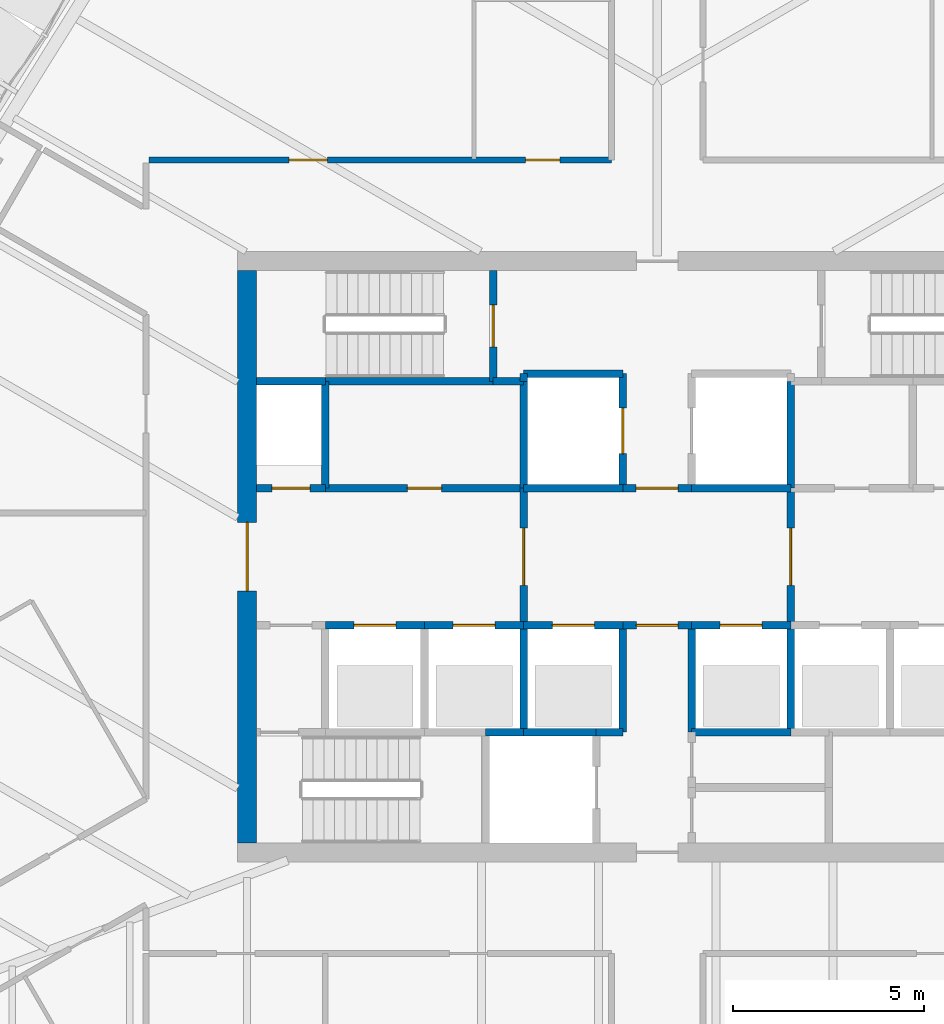
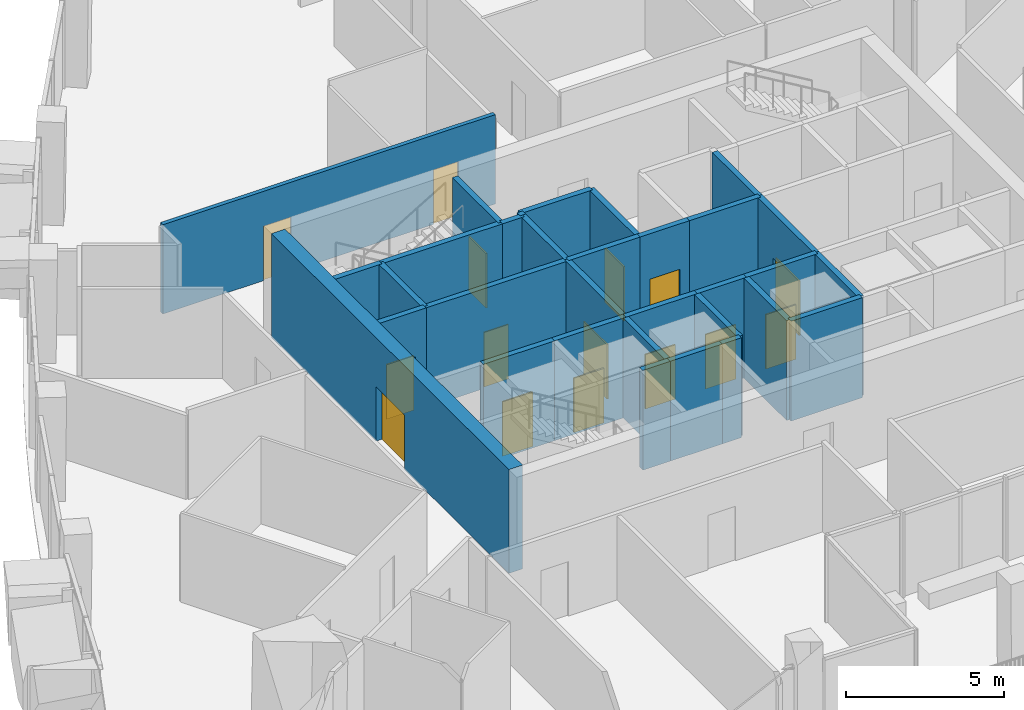
# One storey, part 14 of 21: 32 walls, 15 doors, 15 openings.
"""IFC4 building model written with IfcOpenShell, lengths in metres."""

from ifc_helpers import new_model, si_unit, direction, frame, frame_2d, origin, place, context, subcontext, project, spatial, rectangle, extrude, material, layer, layer_set, type_object, element, fill, save


model = new_model("IFC4")

# Units and contexts
model_context = context("Model", 3, precision=1e-05, world=origin(), true_north=direction((0.0, 1.0)))
body_context = subcontext(model_context, "Body", "Model", "MODEL_VIEW")
ifc_project = project(units=[si_unit("LENGTHUNIT", "METRE"), si_unit("AREAUNIT", "SQUARE_METRE"), si_unit("VOLUMEUNIT", "CUBIC_METRE"), si_unit("PLANEANGLEUNIT", "RADIAN"), si_unit("MASSUNIT", "GRAM", prefix="KILO")], contexts=[model_context])

# Site, building, storey
site_placement = place(None, origin())
site = spatial("IfcSite", under=ifc_project, at=site_placement, CompositionType="ELEMENT")
building_placement = place(site_placement, origin())
building = spatial("IfcBuilding", under=site, at=building_placement, Name="Sierra Prisma Convention Tower", CompositionType="ELEMENT")
storey_placement = place(building_placement, frame((0.0, 0.0, 259.0)))
storey = spatial("IfcBuildingStorey", under=building, at=storey_placement, Name="L58", CompositionType="ELEMENT", Elevation=259.0)

# Wall, opening, door
ifc_material_1 = material(Name="Concrete C30/37", Category="concrete")
ifc_layer_1 = layer(ifc_material_1, 0.199951171875)
ifc_layer_set_1 = layer_set([ifc_layer_1], Name="Core wall RC 200 C30/37")
wall_type_1 = type_object("IfcWallType", Name="Core wall RC 200 C30/37", PredefinedType="SOLIDWALL", material=ifc_layer_set_1)
wall_1_placement = place(storey_placement, frame((-8.699951171875, 1.800048828125, 0.0), z_axis=(0.0, 0.0, 1.0), x_axis=(-1.0, 0.0, 0.0)))
wall_1 = element("IfcWall", 1, at=wall_1_placement, inside=storey, type_object=wall_type_1, Name="Core wall L58 3", PredefinedType="SOLIDWALL", context=body_context, shape_type="SweptSolid", body=[
    extrude(rectangle(XDim=1.800048828125, YDim=0.199951171875, at=frame_2d((0.89990234375, 0.0))), origin(), (0.0, 0.0, 1.0), 3.85009765625),
])
opening_1_placement = place(wall_1_placement, frame((0.39990234375, 0.0, 0.0)))
opening_1 = element("IfcOpeningElement", 2, at=opening_1_placement, cuts=wall_1, Name="Opening L58-D017", PredefinedType="OPENING", context=body_context, shape_type="SweptSolid", body=[
    extrude(rectangle(XDim=1.0, YDim=2.10009765625, at=frame_2d((0.5, 1.050048828125))), frame((0.0, 0.10009765625, 0.0), z_axis=(0.0, -1.0, 0.0), x_axis=(1.0, 0.0, 0.0)), (0.0, 0.0, 1.0), 0.199951171875),
])
ifc_material_2 = material(Name="Steel fire door leaf", Category="steel")
door_type_1 = type_object("IfcDoorType", Name="Door 1000x2100 FD60S", OperationType="SINGLE_SWING_LEFT", PredefinedType="DOOR", material=ifc_material_2)
door_1_placement = place(opening_1_placement, origin())
door_1 = element("IfcDoor", 3, at=door_1_placement, inside=storey, type_object=door_type_1, Name="Door L58 30", OperationType="SINGLE_SWING_RIGHT", OverallHeight=2.10009765625, OverallWidth=1.0, PredefinedType="DOOR", context=body_context, shape_type="SweptSolid", body=[
    extrude(rectangle(XDim=1.0, YDim=2.10009765625, at=frame_2d((0.5, 1.050048828125))), frame((0.0, 0.02490234375, 0.0), z_axis=(0.0, -1.0, 0.0), x_axis=(1.0, 0.0, 0.0)), (0.0, 0.0, 1.0), 0.050048828125),
])
fill(opening_1, door_1)

# Wall
wall_2_placement = place(storey_placement, frame((-8.699951171875, 4.60009765625, 0.0), z_axis=(0.0, 0.0, 1.0), x_axis=(-1.0, 0.0, 0.0)))
element("IfcWall", 4, at=wall_2_placement, inside=storey, type_object=wall_type_1, Name="Core wall L58 4", PredefinedType="SOLIDWALL", context=body_context, shape_type="SweptSolid", body=[
    extrude(rectangle(XDim=1.800048828125, YDim=0.199951171875, at=frame_2d((0.89990234375, 0.0))), origin(), (0.0, 0.0, 1.0), 3.85009765625),
])

# Wall, opening, door
wall_3_placement = place(storey_placement, frame((-8.699951171875, -1.800048828125, 0.0), z_axis=(0.0, 0.0, 1.0), x_axis=(1.0, 0.0, 0.0)))
wall_3 = element("IfcWall", 5, at=wall_3_placement, inside=storey, type_object=wall_type_1, Name="Core wall L58 7", PredefinedType="SOLIDWALL", context=body_context, shape_type="SweptSolid", body=[
    extrude(rectangle(XDim=2.599853515625, YDim=0.199951171875, at=frame_2d((1.2998046875, 0.0))), origin(), (0.0, 0.0, 1.0), 3.85009765625),
])
opening_2_placement = place(wall_3_placement, frame((0.75, 0.0, 0.0)))
opening_2 = element("IfcOpeningElement", 6, at=opening_2_placement, cuts=wall_3, Name="Opening L58-D003", PredefinedType="OPENING", context=body_context, shape_type="SweptSolid", body=[
    extrude(rectangle(XDim=1.10009765625, YDim=2.10009765625, at=frame_2d((0.550048828125, 1.050048828125))), frame((0.0, 0.10009765625, 0.0), z_axis=(0.0, -1.0, 0.0), x_axis=(1.0, 0.0, 0.0)), (0.0, 0.0, 1.0), 0.199951171875),
])
ifc_material_3 = material(Name="Steel fire door leaf", Category="steel")
door_type_2 = type_object("IfcDoorType", Name="Door 1100x2100 EI 90 sliding lift landing", OperationType="SLIDING_TO_LEFT", PredefinedType="DOOR", material=ifc_material_3)
door_2_placement = place(opening_2_placement, origin())
door_2 = element("IfcDoor", 7, at=door_2_placement, inside=storey, type_object=door_type_2, Name="Door L58 16", OperationType="SLIDING_TO_LEFT", OverallHeight=2.10009765625, OverallWidth=1.10009765625, PredefinedType="DOOR", context=body_context, shape_type="SweptSolid", body=[
    extrude(rectangle(XDim=1.10009765625, YDim=2.10009765625, at=frame_2d((0.550048828125, 1.050048828125))), frame((0.0, 0.02490234375, 0.0), z_axis=(0.0, -1.0, 0.0), x_axis=(1.0, 0.0, 0.0)), (0.0, 0.0, 1.0), 0.050048828125),
])
fill(opening_2, door_2)

wall_4_placement = place(storey_placement, frame((-8.699951171875, 1.800048828125, 0.0), z_axis=(0.0, 0.0, 1.0), x_axis=(1.0, 0.0, 0.0)))
wall_4 = element("IfcWall", 8, at=wall_4_placement, inside=storey, type_object=wall_type_1, Name="Core wall L58 8", PredefinedType="SOLIDWALL", context=body_context, shape_type="SweptSolid", body=[
    extrude(rectangle(XDim=5.199951171875, YDim=0.199951171875, at=frame_2d((2.60009765625, 0.0))), origin(), (0.0, 0.0, 1.0), 3.85009765625),
])
opening_3_placement = place(wall_4_placement, frame((2.14990234375, 0.0, 0.0)))
opening_3 = element("IfcOpeningElement", 9, at=opening_3_placement, cuts=wall_4, Name="Opening L58-D024", PredefinedType="OPENING", context=body_context, shape_type="SweptSolid", body=[
    extrude(rectangle(XDim=0.89990234375, YDim=2.10009765625, at=frame_2d((0.449951171875, 1.050048828125))), frame((0.0, 0.10009765625, 0.0), z_axis=(0.0, -1.0, 0.0), x_axis=(1.0, 0.0, 0.0)), (0.0, 0.0, 1.0), 0.199951171875),
])
ifc_material_4 = material(Name="Steel fire door leaf", Category="steel")
door_type_3 = type_object("IfcDoorType", Name="Door 900x2100 FD30S", OperationType="SINGLE_SWING_LEFT", PredefinedType="DOOR", material=ifc_material_4)
door_3_placement = place(opening_3_placement, origin())
door_3 = element("IfcDoor", 10, at=door_3_placement, inside=storey, type_object=door_type_3, Name="Door L58 37", OperationType="SINGLE_SWING_LEFT", OverallHeight=2.10009765625, OverallWidth=0.89990234375, PredefinedType="DOOR", context=body_context, shape_type="SweptSolid", body=[
    extrude(rectangle(XDim=0.89990234375, YDim=2.10009765625, at=frame_2d((0.449951171875, 1.050048828125))), frame((0.0, 0.02490234375, 0.0), z_axis=(0.0, -1.0, 0.0), x_axis=(1.0, 0.0, 0.0)), (0.0, 0.0, 1.0), 0.050048828125),
])
fill(opening_3, door_3)

# Walls
wall_5_placement = place(storey_placement, frame((-8.699951171875, 4.60009765625, 0.0), z_axis=(0.0, 0.0, 1.0), x_axis=(0.0, -1.0, 0.0)))
element("IfcWall", 11, at=wall_5_placement, inside=storey, type_object=wall_type_1, Name="Core wall L58 9", PredefinedType="SOLIDWALL", context=body_context, shape_type="SweptSolid", body=[
    extrude(rectangle(XDim=2.800048828125, YDim=0.199951171875, at=frame_2d((1.39990234375, 0.0))), origin(), (0.0, 0.0, 1.0), 3.85009765625),
])
wall_6_placement = place(storey_placement, frame((-4.300048828125, 4.60009765625, 0.0), z_axis=(0.0, 0.0, 1.0), x_axis=(-1.0, 0.0, 0.0)))
element("IfcWall", 12, at=wall_6_placement, inside=storey, type_object=wall_type_1, Name="Core wall L58 10", PredefinedType="SOLIDWALL", context=body_context, shape_type="SweptSolid", body=[
    extrude(rectangle(XDim=4.39990234375, YDim=0.199951171875, at=frame_2d((2.199951171875, 0.0))), origin(), (0.0, 0.0, 1.0), 3.85009765625),
])

# Wall, opening, door
wall_7_placement = place(storey_placement, frame((-6.10009765625, -1.800048828125, 0.0), z_axis=(0.0, 0.0, 1.0), x_axis=(1.0, 0.0, 0.0)))
wall_7 = element("IfcWall", 13, at=wall_7_placement, inside=storey, type_object=wall_type_1, Name="Core wall L58 13", PredefinedType="SOLIDWALL", context=body_context, shape_type="SweptSolid", body=[
    extrude(rectangle(XDim=2.60009765625, YDim=0.199951171875, at=frame_2d((1.300048828125, 0.0))), origin(), (0.0, 0.0, 1.0), 3.85009765625),
])
opening_4_placement = place(wall_7_placement, frame((0.75, 0.0, 0.0)))
opening_4 = element("IfcOpeningElement", 14, at=opening_4_placement, cuts=wall_7, Name="Opening L58-D004", PredefinedType="OPENING", context=body_context, shape_type="SweptSolid", body=[
    extrude(rectangle(XDim=1.10009765625, YDim=2.10009765625, at=frame_2d((0.550048828125, 1.050048828125))), frame((0.0, 0.10009765625, 0.0), z_axis=(0.0, -1.0, 0.0), x_axis=(1.0, 0.0, 0.0)), (0.0, 0.0, 1.0), 0.199951171875),
])
door_4_placement = place(opening_4_placement, origin())
door_4 = element("IfcDoor", 15, at=door_4_placement, inside=storey, type_object=door_type_2, Name="Door L58 17", OperationType="SLIDING_TO_LEFT", OverallHeight=2.10009765625, OverallWidth=1.10009765625, PredefinedType="DOOR", context=body_context, shape_type="SweptSolid", body=[
    extrude(rectangle(XDim=1.10009765625, YDim=2.10009765625, at=frame_2d((0.550048828125, 1.050048828125))), frame((0.0, 0.02490234375, 0.0), z_axis=(0.0, -1.0, 0.0), x_axis=(1.0, 0.0, 0.0)), (0.0, 0.0, 1.0), 0.050048828125),
])
fill(opening_4, door_4)

# Walls
wall_8_placement = place(storey_placement, frame((-4.5, -4.60009765625, 0.0), z_axis=(0.0, 0.0, 1.0), x_axis=(1.0, 0.0, 0.0)))
element("IfcWall", 16, at=wall_8_placement, inside=storey, type_object=wall_type_1, Name="Core wall L58 15", PredefinedType="SOLIDWALL", context=body_context, shape_type="SweptSolid", body=[
    extrude(rectangle(XDim=1.0, YDim=0.199951171875, at=frame_2d((0.5, 0.0))), origin(), (0.0, 0.0, 1.0), 3.85009765625),
])
wall_9_placement = place(storey_placement, frame((-3.5, 4.60009765625, 0.0), z_axis=(0.0, 0.0, 1.0), x_axis=(-1.0, 0.0, 0.0)))
element("IfcWall", 17, at=wall_9_placement, inside=storey, type_object=wall_type_1, Name="Core wall L58 16", PredefinedType="SOLIDWALL", context=body_context, shape_type="SweptSolid", body=[
    extrude(rectangle(XDim=0.800048828125, YDim=0.199951171875, at=frame_2d((0.39990234375, 0.0))), origin(), (0.0, 0.0, 1.0), 3.85009765625),
])

# Wall, opening, door
wall_10_placement = place(storey_placement, frame((-4.300048828125, 4.60009765625, 0.0), z_axis=(0.0, 0.0, 1.0), x_axis=(0.0, 1.0, 0.0)))
wall_10 = element("IfcWall", 18, at=wall_10_placement, inside=storey, type_object=wall_type_1, Name="Core wall L58 17", PredefinedType="SOLIDWALL", context=body_context, shape_type="SweptSolid", body=[
    extrude(rectangle(XDim=2.89990234375, YDim=0.199951171875, at=frame_2d((1.449951171875, 0.0))), origin(), (0.0, 0.0, 1.0), 3.85009765625),
])
opening_5_placement = place(wall_10_placement, frame((0.89990234375, 0.0, 0.0)))
opening_5 = element("IfcOpeningElement", 19, at=opening_5_placement, cuts=wall_10, Name="Opening L58-D020", PredefinedType="OPENING", context=body_context, shape_type="SweptSolid", body=[
    extrude(rectangle(XDim=1.10009765625, YDim=2.10009765625, at=frame_2d((0.550048828125, 1.050048828125))), frame((0.0, 0.10009765625, 0.0), z_axis=(0.0, -1.0, 0.0), x_axis=(1.0, 0.0, 0.0)), (0.0, 0.0, 1.0), 0.199951171875),
])
ifc_material_5 = material(Name="Steel fire door leaf", Category="steel")
door_type_4 = type_object("IfcDoorType", Name="Door 1100x2100 FD90S", OperationType="SINGLE_SWING_LEFT", PredefinedType="DOOR", material=ifc_material_5)
door_5_placement = place(opening_5_placement, origin())
door_5 = element("IfcDoor", 20, at=door_5_placement, inside=storey, type_object=door_type_4, Name="Door L58 33", OperationType="SINGLE_SWING_LEFT", OverallHeight=2.10009765625, OverallWidth=1.10009765625, PredefinedType="DOOR", context=body_context, shape_type="SweptSolid", body=[
    extrude(rectangle(XDim=1.10009765625, YDim=2.10009765625, at=frame_2d((0.550048828125, 1.050048828125))), frame((0.0, 0.02490234375, 0.0), z_axis=(0.0, -1.0, 0.0), x_axis=(1.0, 0.0, 0.0)), (0.0, 0.0, 1.0), 0.050048828125),
])
fill(opening_5, door_5)

# Walls
wall_11_placement = place(storey_placement, frame((-3.5, -4.60009765625, 0.0), z_axis=(0.0, 0.0, 1.0), x_axis=(1.0, 0.0, 0.0)))
element("IfcWall", 21, at=wall_11_placement, inside=storey, type_object=wall_type_1, Name="Core wall L58 18", PredefinedType="SOLIDWALL", context=body_context, shape_type="SweptSolid", body=[
    extrude(rectangle(XDim=1.89990234375, YDim=0.199951171875, at=frame_2d((0.949951171875, 0.0))), origin(), (0.0, 0.0, 1.0), 3.85009765625),
])
wall_12_placement = place(storey_placement, frame((-3.5, -4.60009765625, 0.0), z_axis=(0.0, 0.0, 1.0), x_axis=(0.0, 1.0, 0.0)))
element("IfcWall", 22, at=wall_12_placement, inside=storey, type_object=wall_type_1, Name="Core wall L58 19", PredefinedType="SOLIDWALL", context=body_context, shape_type="SweptSolid", body=[
    extrude(rectangle(XDim=2.800048828125, YDim=0.199951171875, at=frame_2d((1.39990234375, 0.0))), origin(), (0.0, 0.0, 1.0), 3.85009765625),
])

# Wall, opening, door
wall_13_placement = place(storey_placement, frame((-3.5, -1.800048828125, 0.0), z_axis=(0.0, 0.0, 1.0), x_axis=(1.0, 0.0, 0.0)))
wall_13 = element("IfcWall", 23, at=wall_13_placement, inside=storey, type_object=wall_type_1, Name="Core wall L58 20", PredefinedType="SOLIDWALL", context=body_context, shape_type="SweptSolid", body=[
    extrude(rectangle(XDim=2.60009765625, YDim=0.199951171875, at=frame_2d((1.300048828125, 0.0))), origin(), (0.0, 0.0, 1.0), 3.85009765625),
])
opening_6_placement = place(wall_13_placement, frame((0.75, 0.0, 0.0)))
opening_6 = element("IfcOpeningElement", 24, at=opening_6_placement, cuts=wall_13, Name="Opening L58-D005", PredefinedType="OPENING", context=body_context, shape_type="SweptSolid", body=[
    extrude(rectangle(XDim=1.10009765625, YDim=2.10009765625, at=frame_2d((0.550048828125, 1.050048828125))), frame((0.0, 0.10009765625, 0.0), z_axis=(0.0, -1.0, 0.0), x_axis=(1.0, 0.0, 0.0)), (0.0, 0.0, 1.0), 0.199951171875),
])
door_6_placement = place(opening_6_placement, origin())
door_6 = element("IfcDoor", 25, at=door_6_placement, inside=storey, type_object=door_type_2, Name="Door L58 18", OperationType="SLIDING_TO_RIGHT", OverallHeight=2.10009765625, OverallWidth=1.10009765625, PredefinedType="DOOR", context=body_context, shape_type="SweptSolid", body=[
    extrude(rectangle(XDim=1.10009765625, YDim=2.10009765625, at=frame_2d((0.550048828125, 1.050048828125))), frame((0.0, 0.02490234375, 0.0), z_axis=(0.0, -1.0, 0.0), x_axis=(1.0, 0.0, 0.0)), (0.0, 0.0, 1.0), 0.050048828125),
])
fill(opening_6, door_6)

wall_14_placement = place(storey_placement, frame((-3.5, 1.800048828125, 0.0), z_axis=(0.0, 0.0, 1.0), x_axis=(0.0, -1.0, 0.0)))
wall_14 = element("IfcWall", 26, at=wall_14_placement, inside=storey, type_object=wall_type_1, Name="Core wall L58 21", PredefinedType="SOLIDWALL", context=body_context, shape_type="SweptSolid", body=[
    extrude(rectangle(XDim=3.60009765625, YDim=0.199951171875, at=frame_2d((1.800048828125, 0.0))), origin(), (0.0, 0.0, 1.0), 3.85009765625),
])
opening_7_placement = place(wall_14_placement, frame((1.050048828125, 0.0, 0.0)))
opening_7 = element("IfcOpeningElement", 27, at=opening_7_placement, cuts=wall_14, Name="Opening L58-D012", PredefinedType="OPENING", context=body_context, shape_type="SweptSolid", body=[
    extrude(rectangle(XDim=1.5, YDim=2.10009765625, at=frame_2d((0.75, 1.050048828125))), frame((0.0, 0.10009765625, 0.0), z_axis=(0.0, -1.0, 0.0), x_axis=(1.0, 0.0, 0.0)), (0.0, 0.0, 1.0), 0.199951171875),
])
ifc_material_6 = material(Name="Steel fire door leaf", Category="steel")
door_type_5 = type_object("IfcDoorType", Name="Door 1500x2100 FD30S", OperationType="DOUBLE_DOOR_SINGLE_SWING", PredefinedType="DOOR", material=ifc_material_6)
door_7_placement = place(opening_7_placement, origin())
door_7 = element("IfcDoor", 28, at=door_7_placement, inside=storey, type_object=door_type_5, Name="Door L58 25", OperationType="DOUBLE_DOOR_SINGLE_SWING", OverallHeight=2.10009765625, OverallWidth=1.5, PredefinedType="DOOR", context=body_context, shape_type="SweptSolid", body=[
    extrude(rectangle(XDim=1.5, YDim=2.10009765625, at=frame_2d((0.75, 1.050048828125))), frame((0.0, 0.02490234375, 0.0), z_axis=(0.0, -1.0, 0.0), x_axis=(1.0, 0.0, 0.0)), (0.0, 0.0, 1.0), 0.050048828125),
])
fill(opening_7, door_7)

# Walls
wall_15_placement = place(storey_placement, frame((-0.89990234375, 1.800048828125, 0.0), z_axis=(0.0, 0.0, 1.0), x_axis=(-1.0, 0.0, 0.0)))
element("IfcWall", 29, at=wall_15_placement, inside=storey, type_object=wall_type_1, Name="Core wall L58 22", PredefinedType="SOLIDWALL", context=body_context, shape_type="SweptSolid", body=[
    extrude(rectangle(XDim=2.60009765625, YDim=0.199951171875, at=frame_2d((1.300048828125, 0.0))), origin(), (0.0, 0.0, 1.0), 3.85009765625),
])
wall_16_placement = place(storey_placement, frame((-3.5, 1.800048828125, 0.0), z_axis=(0.0, 0.0, 1.0), x_axis=(0.0, 1.0, 0.0)))
element("IfcWall", 30, at=wall_16_placement, inside=storey, type_object=wall_type_1, Name="Core wall L58 23", PredefinedType="SOLIDWALL", context=body_context, shape_type="SweptSolid", body=[
    extrude(rectangle(XDim=2.800048828125, YDim=0.199951171875, at=frame_2d((1.39990234375, 0.0))), origin(), (0.0, 0.0, 1.0), 3.85009765625),
])

# Wall, opening, door
wall_17_placement = place(storey_placement, frame((-0.89990234375, 1.800048828125, 0.0), z_axis=(0.0, 0.0, 1.0), x_axis=(0.0, 1.0, 0.0)))
wall_17 = element("IfcWall", 31, at=wall_17_placement, inside=storey, type_object=wall_type_1, Name="Core wall L58 24", PredefinedType="SOLIDWALL", context=body_context, shape_type="SweptSolid", body=[
    extrude(rectangle(XDim=3.0, YDim=0.199951171875, at=frame_2d((1.5, 0.0))), origin(), (0.0, 0.0, 1.0), 3.85009765625),
])
opening_8_placement = place(wall_17_placement, frame((0.89990234375, 0.0, 0.0)))
opening_8 = element("IfcOpeningElement", 32, at=opening_8_placement, cuts=wall_17, Name="Opening L58-D009", PredefinedType="OPENING", context=body_context, shape_type="SweptSolid", body=[
    extrude(rectangle(XDim=1.199951171875, YDim=2.10009765625, at=frame_2d((0.60009765625, 1.050048828125))), frame((0.0, 0.10009765625, 0.0), z_axis=(0.0, -1.0, 0.0), x_axis=(1.0, 0.0, 0.0)), (0.0, 0.0, 1.0), 0.199951171875),
])
ifc_material_7 = material(Name="Steel fire door leaf", Category="steel")
door_type_6 = type_object("IfcDoorType", Name="Door 1200x2100 EI 90 sliding lift landing", OperationType="SLIDING_TO_LEFT", PredefinedType="DOOR", material=ifc_material_7)
door_8_placement = place(opening_8_placement, origin())
door_8 = element("IfcDoor", 33, at=door_8_placement, inside=storey, type_object=door_type_6, Name="Door L58 22", OperationType="SLIDING_TO_RIGHT", OverallHeight=2.10009765625, OverallWidth=1.199951171875, PredefinedType="DOOR", context=body_context, shape_type="SweptSolid", body=[
    extrude(rectangle(XDim=1.199951171875, YDim=2.10009765625, at=frame_2d((0.60009765625, 1.050048828125))), frame((0.0, 0.02490234375, 0.0), z_axis=(0.0, -1.0, 0.0), x_axis=(1.0, 0.0, 0.0)), (0.0, 0.0, 1.0), 0.050048828125),
])
fill(opening_8, door_8)

# Walls
wall_18_placement = place(storey_placement, frame((-0.89990234375, 4.800048828125, 0.0), z_axis=(0.0, 0.0, 1.0), x_axis=(-1.0, 0.0, 0.0)))
element("IfcWall", 34, at=wall_18_placement, inside=storey, type_object=wall_type_1, Name="Core wall L58 25", PredefinedType="SOLIDWALL", context=body_context, shape_type="SweptSolid", body=[
    extrude(rectangle(XDim=2.60009765625, YDim=0.199951171875, at=frame_2d((1.300048828125, 0.0))), origin(), (0.0, 0.0, 1.0), 3.85009765625),
])
wall_19_placement = place(storey_placement, frame((-3.5, 4.800048828125, 0.0), z_axis=(0.0, 0.0, 1.0), x_axis=(0.0, -1.0, 0.0)))
element("IfcWall", 35, at=wall_19_placement, inside=storey, type_object=wall_type_1, Name="Core wall L58 26", PredefinedType="SOLIDWALL", context=body_context, shape_type="SweptSolid", body=[
    extrude(rectangle(XDim=0.199951171875, YDim=0.199951171875, at=frame_2d((0.10009765625, 0.0))), origin(), (0.0, 0.0, 1.0), 3.85009765625),
])
wall_20_placement = place(storey_placement, frame((-1.60009765625, -4.60009765625, 0.0), z_axis=(0.0, 0.0, 1.0), x_axis=(1.0, 0.0, 0.0)))
element("IfcWall", 36, at=wall_20_placement, inside=storey, type_object=wall_type_1, Name="Core wall L58 28", PredefinedType="SOLIDWALL", context=body_context, shape_type="SweptSolid", body=[
    extrude(rectangle(XDim=0.7001953125, YDim=0.199951171875, at=frame_2d((0.35009765625, 0.0))), origin(), (0.0, 0.0, 1.0), 3.85009765625),
])
wall_21_placement = place(storey_placement, frame((-0.89990234375, -4.60009765625, 0.0), z_axis=(0.0, 0.0, 1.0), x_axis=(0.0, 1.0, 0.0)))
element("IfcWall", 37, at=wall_21_placement, inside=storey, type_object=wall_type_1, Name="Core wall L58 29", PredefinedType="SOLIDWALL", context=body_context, shape_type="SweptSolid", body=[
    extrude(rectangle(XDim=2.800048828125, YDim=0.199951171875, at=frame_2d((1.39990234375, 0.0))), origin(), (0.0, 0.0, 1.0), 3.85009765625),
])

# Wall, opening, door
wall_22_placement = place(storey_placement, frame((-0.89990234375, -1.800048828125, 0.0), z_axis=(0.0, 0.0, 1.0), x_axis=(1.0, 0.0, 0.0)))
wall_22 = element("IfcWall", 38, at=wall_22_placement, inside=storey, type_object=wall_type_1, Name="Core wall L58 30", PredefinedType="SOLIDWALL", context=body_context, shape_type="SweptSolid", body=[
    extrude(rectangle(XDim=1.7998046875, YDim=0.199951171875, at=frame_2d((0.89990234375, 0.0))), origin(), (0.0, 0.0, 1.0), 3.85009765625),
])
opening_9_placement = place(wall_22_placement, frame((0.35009765625, 0.0, 0.0)))
opening_9 = element("IfcOpeningElement", 39, at=opening_9_placement, cuts=wall_22, Name="Opening L58-D016", PredefinedType="OPENING", context=body_context, shape_type="SweptSolid", body=[
    extrude(rectangle(XDim=1.10009765625, YDim=2.10009765625, at=frame_2d((0.550048828125, 1.050048828125))), frame((0.0, 0.10009765625, 0.0), z_axis=(0.0, -1.0, 0.0), x_axis=(1.0, 0.0, 0.0)), (0.0, 0.0, 1.0), 0.199951171875),
])
ifc_material_8 = material(Name="Steel fire door leaf", Category="steel")
door_type_7 = type_object("IfcDoorType", Name="Door 1100x2100 FD30S", OperationType="SINGLE_SWING_LEFT", PredefinedType="DOOR", material=ifc_material_8)
door_9_placement = place(opening_9_placement, origin())
door_9 = element("IfcDoor", 40, at=door_9_placement, inside=storey, type_object=door_type_7, Name="Door L58 29", OperationType="SINGLE_SWING_RIGHT", OverallHeight=2.10009765625, OverallWidth=1.10009765625, PredefinedType="DOOR", context=body_context, shape_type="SweptSolid", body=[
    extrude(rectangle(XDim=1.10009765625, YDim=2.10009765625, at=frame_2d((0.550048828125, 1.050048828125))), frame((0.0, 0.02490234375, 0.0), z_axis=(0.0, -1.0, 0.0), x_axis=(1.0, 0.0, 0.0)), (0.0, 0.0, 1.0), 0.050048828125),
])
fill(opening_9, door_9)

wall_23_placement = place(storey_placement, frame((0.89990234375, 1.800048828125, 0.0), z_axis=(0.0, 0.0, 1.0), x_axis=(-1.0, 0.0, 0.0)))
wall_23 = element("IfcWall", 41, at=wall_23_placement, inside=storey, type_object=wall_type_1, Name="Core wall L58 31", PredefinedType="SOLIDWALL", context=body_context, shape_type="SweptSolid", body=[
    extrude(rectangle(XDim=1.7998046875, YDim=0.199951171875, at=frame_2d((0.89990234375, 0.0))), origin(), (0.0, 0.0, 1.0), 3.85009765625),
])
opening_10_placement = place(wall_23_placement, frame((0.35009765625, 0.0, 0.0)))
opening_10 = element("IfcOpeningElement", 42, at=opening_10_placement, cuts=wall_23, Name="Opening L58-D015", PredefinedType="OPENING", context=body_context, shape_type="SweptSolid", body=[
    extrude(rectangle(XDim=1.10009765625, YDim=2.10009765625, at=frame_2d((0.550048828125, 1.050048828125))), frame((0.0, 0.10009765625, 0.0), z_axis=(0.0, -1.0, 0.0), x_axis=(1.0, 0.0, 0.0)), (0.0, 0.0, 1.0), 0.199951171875),
])
ifc_material_9 = material(Name="Steel fire door leaf", Category="steel")
door_type_8 = type_object("IfcDoorType", Name="Door 1100x2100 FD60S", OperationType="SINGLE_SWING_LEFT", PredefinedType="DOOR", material=ifc_material_9)
door_10_placement = place(opening_10_placement, origin())
door_10 = element("IfcDoor", 43, at=door_10_placement, inside=storey, type_object=door_type_8, Name="Door L58 28", OperationType="SINGLE_SWING_LEFT", OverallHeight=2.10009765625, OverallWidth=1.10009765625, PredefinedType="DOOR", context=body_context, shape_type="SweptSolid", body=[
    extrude(rectangle(XDim=1.10009765625, YDim=2.10009765625, at=frame_2d((0.550048828125, 1.050048828125))), frame((0.0, 0.02490234375, 0.0), z_axis=(0.0, -1.0, 0.0), x_axis=(1.0, 0.0, 0.0)), (0.0, 0.0, 1.0), 0.050048828125),
])
fill(opening_10, door_10)

# Walls
wall_24_placement = place(storey_placement, frame((3.5, -4.60009765625, 0.0), z_axis=(0.0, 0.0, 1.0), x_axis=(-1.0, 0.0, 0.0)))
element("IfcWall", 44, at=wall_24_placement, inside=storey, type_object=wall_type_1, Name="Core wall L58 35", PredefinedType="SOLIDWALL", context=body_context, shape_type="SweptSolid", body=[
    extrude(rectangle(XDim=2.60009765625, YDim=0.199951171875, at=frame_2d((1.300048828125, 0.0))), origin(), (0.0, 0.0, 1.0), 3.85009765625),
])
wall_25_placement = place(storey_placement, frame((0.89990234375, -1.800048828125, 0.0), z_axis=(0.0, 0.0, 1.0), x_axis=(0.0, -1.0, 0.0)))
element("IfcWall", 45, at=wall_25_placement, inside=storey, type_object=wall_type_1, Name="Core wall L58 36", PredefinedType="SOLIDWALL", context=body_context, shape_type="SweptSolid", body=[
    extrude(rectangle(XDim=2.800048828125, YDim=0.199951171875, at=frame_2d((1.39990234375, 0.0))), origin(), (0.0, 0.0, 1.0), 3.85009765625),
])

# Wall, opening, door
wall_26_placement = place(storey_placement, frame((0.89990234375, -1.800048828125, 0.0), z_axis=(0.0, 0.0, 1.0), x_axis=(1.0, 0.0, 0.0)))
wall_26 = element("IfcWall", 46, at=wall_26_placement, inside=storey, type_object=wall_type_1, Name="Core wall L58 37", PredefinedType="SOLIDWALL", context=body_context, shape_type="SweptSolid", body=[
    extrude(rectangle(XDim=2.60009765625, YDim=0.199951171875, at=frame_2d((1.300048828125, 0.0))), origin(), (0.0, 0.0, 1.0), 3.85009765625),
])
opening_11_placement = place(wall_26_placement, frame((0.75, 0.0, 0.0)))
opening_11 = element("IfcOpeningElement", 47, at=opening_11_placement, cuts=wall_26, Name="Opening L58-D006", PredefinedType="OPENING", context=body_context, shape_type="SweptSolid", body=[
    extrude(rectangle(XDim=1.10009765625, YDim=2.10009765625, at=frame_2d((0.550048828125, 1.050048828125))), frame((0.0, 0.10009765625, 0.0), z_axis=(0.0, -1.0, 0.0), x_axis=(1.0, 0.0, 0.0)), (0.0, 0.0, 1.0), 0.199951171875),
])
door_11_placement = place(opening_11_placement, origin())
door_11 = element("IfcDoor", 48, at=door_11_placement, inside=storey, type_object=door_type_2, Name="Door L58 19", OperationType="SLIDING_TO_RIGHT", OverallHeight=2.10009765625, OverallWidth=1.10009765625, PredefinedType="DOOR", context=body_context, shape_type="SweptSolid", body=[
    extrude(rectangle(XDim=1.10009765625, YDim=2.10009765625, at=frame_2d((0.550048828125, 1.050048828125))), frame((0.0, 0.02490234375, 0.0), z_axis=(0.0, -1.0, 0.0), x_axis=(1.0, 0.0, 0.0)), (0.0, 0.0, 1.0), 0.050048828125),
])
fill(opening_11, door_11)

# Walls
wall_27_placement = place(storey_placement, frame((3.5, 1.800048828125, 0.0), z_axis=(0.0, 0.0, 1.0), x_axis=(-1.0, 0.0, 0.0)))
element("IfcWall", 49, at=wall_27_placement, inside=storey, type_object=wall_type_1, Name="Core wall L58 38", PredefinedType="SOLIDWALL", context=body_context, shape_type="SweptSolid", body=[
    extrude(rectangle(XDim=2.60009765625, YDim=0.199951171875, at=frame_2d((1.300048828125, 0.0))), origin(), (0.0, 0.0, 1.0), 3.85009765625),
])
wall_28_placement = place(storey_placement, frame((3.5, -4.60009765625, 0.0), z_axis=(0.0, 0.0, 1.0), x_axis=(0.0, 1.0, 0.0)))
element("IfcWall", 50, at=wall_28_placement, inside=storey, type_object=wall_type_1, Name="Core wall L58 43", PredefinedType="SOLIDWALL", context=body_context, shape_type="SweptSolid", body=[
    extrude(rectangle(XDim=2.800048828125, YDim=0.199951171875, at=frame_2d((1.39990234375, 0.0))), origin(), (0.0, 0.0, 1.0), 3.85009765625),
])

# Wall, opening, door
wall_29_placement = place(storey_placement, frame((3.5, -1.800048828125, 0.0), z_axis=(0.0, 0.0, 1.0), x_axis=(0.0, 1.0, 0.0)))
wall_29 = element("IfcWall", 51, at=wall_29_placement, inside=storey, type_object=wall_type_1, Name="Core wall L58 45", PredefinedType="SOLIDWALL", context=body_context, shape_type="SweptSolid", body=[
    extrude(rectangle(XDim=3.60009765625, YDim=0.199951171875, at=frame_2d((1.800048828125, 0.0))), origin(), (0.0, 0.0, 1.0), 3.85009765625),
])
opening_12_placement = place(wall_29_placement, frame((1.050048828125, 0.0, 0.0)))
opening_12 = element("IfcOpeningElement", 52, at=opening_12_placement, cuts=wall_29, Name="Opening L58-D013", PredefinedType="OPENING", context=body_context, shape_type="SweptSolid", body=[
    extrude(rectangle(XDim=1.5, YDim=2.10009765625, at=frame_2d((0.75, 1.050048828125))), frame((0.0, 0.10009765625, 0.0), z_axis=(0.0, -1.0, 0.0), x_axis=(1.0, 0.0, 0.0)), (0.0, 0.0, 1.0), 0.199951171875),
])
door_12_placement = place(opening_12_placement, origin())
door_12 = element("IfcDoor", 53, at=door_12_placement, inside=storey, type_object=door_type_5, Name="Door L58 26", OperationType="DOUBLE_DOOR_SINGLE_SWING", OverallHeight=2.10009765625, OverallWidth=1.5, PredefinedType="DOOR", context=body_context, shape_type="SweptSolid", body=[
    extrude(rectangle(XDim=1.5, YDim=2.10009765625, at=frame_2d((0.75, 1.050048828125))), frame((0.0, 0.02490234375, 0.0), z_axis=(0.0, -1.0, 0.0), x_axis=(1.0, 0.0, 0.0)), (0.0, 0.0, 1.0), 0.050048828125),
])
fill(opening_12, door_12)

# Wall
wall_30_placement = place(storey_placement, frame((3.5, 4.60009765625, 0.0), z_axis=(0.0, 0.0, 1.0), x_axis=(0.0, -1.0, 0.0)))
element("IfcWall", 54, at=wall_30_placement, inside=storey, type_object=wall_type_1, Name="Core wall L58 47", PredefinedType="SOLIDWALL", context=body_context, shape_type="SweptSolid", body=[
    extrude(rectangle(XDim=2.800048828125, YDim=0.199951171875, at=frame_2d((1.39990234375, 0.0))), origin(), (0.0, 0.0, 1.0), 3.85009765625),
])

# Wall, opening, door
ifc_material_10 = material(Name="Concrete C50/60", Category="concrete")
ifc_layer_2 = layer(ifc_material_10, 0.5)
ifc_layer_set_2 = layer_set([ifc_layer_2], Name="Core wall RC 500 C50/60")
wall_type_2 = type_object("IfcWallType", Name="Core wall RC 500 C50/60", PredefinedType="SHEAR", material=ifc_layer_set_2)
wall_31_placement = place(storey_placement, frame((-10.75, -7.5, 0.0), z_axis=(0.0, 0.0, 1.0), x_axis=(0.0, 1.0, 0.0)))
wall_31 = element("IfcWall", 55, at=wall_31_placement, inside=storey, type_object=wall_type_2, Name="Core wall W L58", PredefinedType="SHEAR", context=body_context, shape_type="SweptSolid", body=[
    extrude(rectangle(XDim=15.0, YDim=0.5, at=frame_2d((7.5, 0.0))), origin(), (0.0, 0.0, 1.0), 4.0),
])
opening_13_placement = place(wall_31_placement, frame((6.60009765625, 0.0, 0.0)))
opening_13 = element("IfcOpeningElement", 56, at=opening_13_placement, cuts=wall_31, Name="Opening L58-D047", PredefinedType="OPENING", context=body_context, shape_type="SweptSolid", body=[
    extrude(rectangle(XDim=1.800048828125, YDim=2.10009765625, at=frame_2d((0.89990234375, 1.050048828125))), frame((0.0, 0.25, 0.0), z_axis=(0.0, -1.0, 0.0), x_axis=(1.0, 0.0, 0.0)), (0.0, 0.0, 1.0), 0.5),
])
ifc_material_11 = material(Name="Steel fire door leaf", Category="steel")
door_type_9 = type_object("IfcDoorType", Name="Door 1800x2100 FD60S", OperationType="DOUBLE_DOOR_SINGLE_SWING", PredefinedType="DOOR", material=ifc_material_11)
door_13_placement = place(opening_13_placement, origin())
door_13 = element("IfcDoor", 57, at=door_13_placement, inside=storey, type_object=door_type_9, Name="Door L58 42", OperationType="DOUBLE_DOOR_SINGLE_SWING", OverallHeight=2.10009765625, OverallWidth=1.800048828125, PredefinedType="DOOR", context=body_context, shape_type="SweptSolid", body=[
    extrude(rectangle(XDim=1.800048828125, YDim=2.10009765625, at=frame_2d((0.89990234375, 1.050048828125))), frame((0.0, 0.02490234375, 0.0), z_axis=(0.0, -1.0, 0.0), x_axis=(1.0, 0.0, 0.0)), (0.0, 0.0, 1.0), 0.050048828125),
])
fill(opening_13, door_13)

# Wall, openings, doors
ifc_material_12 = material(Name="Gypsum board partition", Category="gypsum")
ifc_layer_3 = layer(ifc_material_12, 0.14990234375)
ifc_layer_set_3 = layer_set([ifc_layer_3], Name="Corridor wall 150 gypsum EI 60")
wall_type_3 = type_object("IfcWallType", Name="Corridor wall 150 gypsum EI 60", PredefinedType="PARTITIONING", material=ifc_layer_set_3)
wall_32_placement = place(storey_placement, frame((-1.199951171875, 10.39990234375, 0.0), z_axis=(0.0, 0.0, 1.0), x_axis=(-1.0, 0.0, 0.0)))
wall_32 = element("IfcWall", 58, at=wall_32_placement, inside=storey, type_object=wall_type_3, Name="Partition L58 corr 13", PredefinedType="PARTITIONING", context=body_context, shape_type="SweptSolid", body=[
    extrude(rectangle(XDim=12.1201171875, YDim=0.14990234375, at=frame_2d((6.06005859375, 0.0))), origin(), (0.0, 0.0, 1.0), 3.443115234375),
])
opening_14_placement = place(wall_32_placement, frame((1.35009765625, 0.0, 0.0)))
opening_14 = element("IfcOpeningElement", 59, at=opening_14_placement, cuts=wall_32, Name="Opening L58-D033", PredefinedType="OPENING", context=body_context, shape_type="SweptSolid", body=[
    extrude(rectangle(XDim=0.89990234375, YDim=2.10009765625, at=frame_2d((0.449951171875, 1.050048828125))), frame((0.0, 0.074951171875, 0.0), z_axis=(0.0, -1.0, 0.0), x_axis=(1.0, 0.0, 0.0)), (0.0, 0.0, 1.0), 0.14990234375),
])
opening_15_placement = place(wall_32_placement, frame((7.449951171875, 0.0, 0.0)))
opening_15 = element("IfcOpeningElement", 60, at=opening_15_placement, cuts=wall_32, Name="Opening L58-D034", PredefinedType="OPENING", context=body_context, shape_type="SweptSolid", body=[
    extrude(rectangle(XDim=1.0, YDim=2.10009765625, at=frame_2d((0.5, 1.050048828125))), frame((0.0, 0.074951171875, 0.0), z_axis=(0.0, -1.0, 0.0), x_axis=(1.0, 0.0, 0.0)), (0.0, 0.0, 1.0), 0.14990234375),
])
ifc_material_13 = material(Name="Steel fire door leaf", Category="steel")
door_type_10 = type_object("IfcDoorType", Name="Door 1000x2100 FD30S", OperationType="SINGLE_SWING_LEFT", PredefinedType="DOOR", material=ifc_material_13)
door_14_placement = place(opening_15_placement, origin())
door_14 = element("IfcDoor", 61, at=door_14_placement, inside=storey, type_object=door_type_10, Name="Door L58 6", OperationType="SINGLE_SWING_LEFT", OverallHeight=2.10009765625, OverallWidth=1.0, PredefinedType="DOOR", context=body_context, shape_type="SweptSolid", body=[
    extrude(rectangle(XDim=1.0, YDim=2.10009765625, at=frame_2d((0.5, 1.050048828125))), frame((0.0, 0.02490234375, 0.0), z_axis=(0.0, -1.0, 0.0), x_axis=(1.0, 0.0, 0.0)), (0.0, 0.0, 1.0), 0.050048828125),
])
fill(opening_15, door_14)
door_15_placement = place(opening_14_placement, origin())
door_15 = element("IfcDoor", 62, at=door_15_placement, inside=storey, type_object=door_type_3, Name="Door L58 5", OperationType="SINGLE_SWING_LEFT", OverallHeight=2.10009765625, OverallWidth=0.89990234375, PredefinedType="DOOR", context=body_context, shape_type="SweptSolid", body=[
    extrude(rectangle(XDim=0.89990234375, YDim=2.10009765625, at=frame_2d((0.449951171875, 1.050048828125))), frame((0.0, 0.02490234375, 0.0), z_axis=(0.0, -1.0, 0.0), x_axis=(1.0, 0.0, 0.0)), (0.0, 0.0, 1.0), 0.050048828125),
])
fill(opening_14, door_15)

save(model, "model.ifc")
